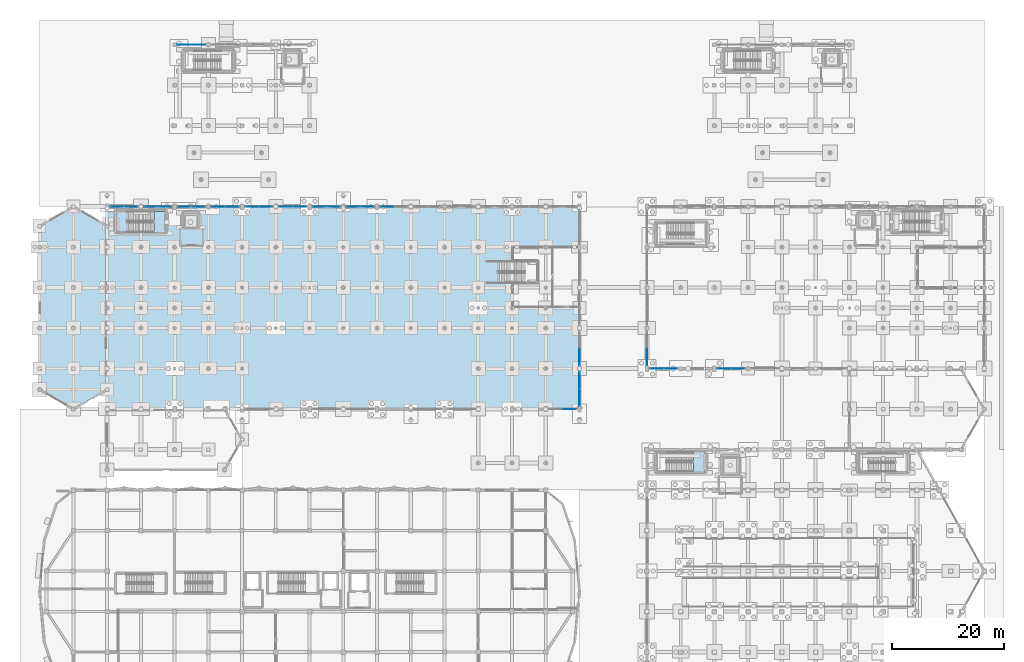
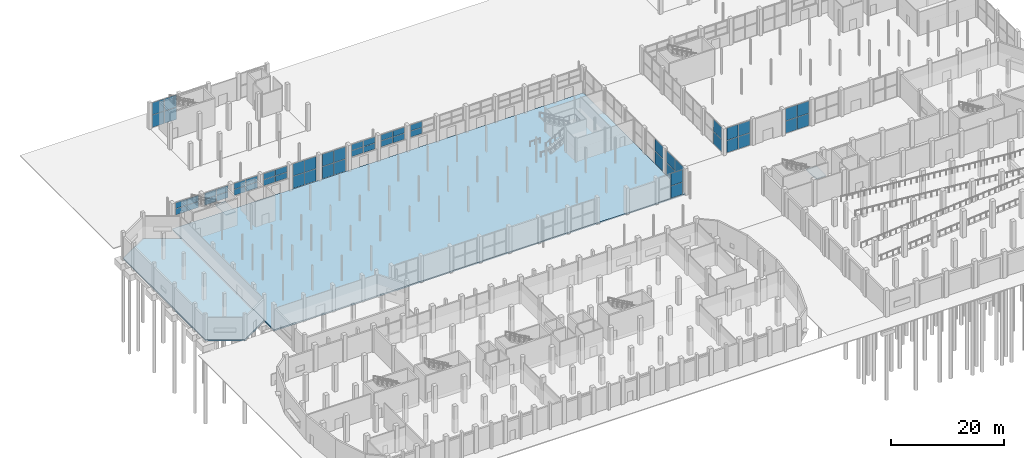
# One storey, part 71 of 103: 56 plates, 4 slabs, 18 elements without a shape of their own.
"""IFC4 building model written with IfcOpenShell, lengths in metres."""

from ifc_helpers import new_model, si_unit, direction, frame, origin, origin_2d, place, context, subcontext, project, spatial, polyline, rectangle, outline, extrude, material, layer, layer_set, type_object, element, aggregate, save


model = new_model("IFC4")

# Units and contexts
model_context = context("Model", 3, precision=1e-05, world=origin(), true_north=direction((0.0, 1.0)))
body_context = subcontext(model_context, "Body", "Model", "MODEL_VIEW")
ifc_project = project(units=[si_unit("LENGTHUNIT", "METRE"), si_unit("AREAUNIT", "SQUARE_METRE"), si_unit("VOLUMEUNIT", "CUBIC_METRE"), si_unit("PLANEANGLEUNIT", "RADIAN"), si_unit("MASSUNIT", "GRAM", prefix="KILO")], contexts=[model_context])

# Site, building, storey
site_placement = place(None, origin())
site = spatial("IfcSite", under=ifc_project, at=site_placement, CompositionType="ELEMENT")
building_placement = place(site_placement, origin())
building = spatial("IfcBuilding", under=site, at=building_placement, Name="Dunvalen Ferry Terminal", CompositionType="ELEMENT")
storey_placement = place(building_placement, origin())
storey = spatial("IfcBuildingStorey", under=building, at=storey_placement, Name="L00", CompositionType="ELEMENT", Elevation=0.0)

# Curtain wall, plates
ifc_material_1 = material(Name="Anodised marine aluminium and solar-control glazing", Category="aluminium")
ifc_layer_1 = layer(ifc_material_1, 0.219970703125, Name="Anodised marine aluminium and solar-control glazing")
ifc_layer_set_1 = layer_set([ifc_layer_1], Name="Anodised marine aluminium and solar-control glazing")
curtain_wall_type_1 = type_object("IfcCurtainWallType", Name="ENV-CW-SYS-01", PredefinedType="NOTDEFINED", material=ifc_layer_set_1)
curtain_wall_1_placement = place(storey_placement, origin())
curtain_wall_1 = element("IfcCurtainWall", 1, at=curtain_wall_1_placement, inside=storey, type_object=curtain_wall_type_1, Name="L00 Curtain Wall CW-V1N-L00-01", PredefinedType="NOTDEFINED")
ifc_material_2 = material(Name="Low-E solar-control laminated double glazing", Category="glass")
ifc_layer_2 = layer(ifc_material_2, 0.028076171875, Name="Low-E solar-control laminated double glazing")
ifc_layer_set_2 = layer_set([ifc_layer_2], Name="Low-E solar-control laminated double glazing")
plate_type_1 = type_object("IfcPlateType", Name="ENV-CW-PNL-1", PredefinedType="CURTAIN_PANEL", material=ifc_layer_set_2)
plate_1_placement = place(storey_placement, frame((13.796142578125, 86.39990234375, 2.76513671875), z_axis=(0.0, 0.0, 1.0), x_axis=(1.0, 0.0, 0.0)))
plate_1 = element("IfcPlate", 2, at=plate_1_placement, type_object=plate_type_1, Name="CW-01 panel 1.1", PredefinedType="CURTAIN_PANEL", context=body_context, shape_type="SweptSolid", body=[
    extrude(rectangle(XDim=2.342529296875, YDim=0.028076171875, at=origin_2d()), origin(), (0.0, 0.0, 1.0), 1.277587890625),
])
plate_2_placement = place(storey_placement, frame((13.796142578125, 86.39990234375, 4.107421875), z_axis=(0.0, 0.0, 1.0), x_axis=(1.0, 0.0, 0.0)))
plate_2 = element("IfcPlate", 3, at=plate_2_placement, type_object=plate_type_1, Name="CW-01 panel 1.2", PredefinedType="CURTAIN_PANEL", context=body_context, shape_type="SweptSolid", body=[
    extrude(rectangle(XDim=2.342529296875, YDim=0.028076171875, at=origin_2d()), origin(), (0.0, 0.0, 1.0), 1.277587890625),
])
plate_3_placement = place(storey_placement, frame((16.203857421875, 86.39990234375, 2.76513671875), z_axis=(0.0, 0.0, 1.0), x_axis=(1.0, 0.0, 0.0)))
plate_3 = element("IfcPlate", 4, at=plate_3_placement, type_object=plate_type_1, Name="CW-01 panel 2.1", PredefinedType="CURTAIN_PANEL", context=body_context, shape_type="SweptSolid", body=[
    extrude(rectangle(XDim=2.342529296875, YDim=0.028076171875, at=origin_2d()), origin(), (0.0, 0.0, 1.0), 1.277587890625),
])
plate_4_placement = place(storey_placement, frame((16.203857421875, 86.39990234375, 4.107421875), z_axis=(0.0, 0.0, 1.0), x_axis=(1.0, 0.0, 0.0)))
plate_4 = element("IfcPlate", 5, at=plate_4_placement, type_object=plate_type_1, Name="CW-01 panel 2.2", PredefinedType="CURTAIN_PANEL", context=body_context, shape_type="SweptSolid", body=[
    extrude(rectangle(XDim=2.342529296875, YDim=0.028076171875, at=origin_2d()), origin(), (0.0, 0.0, 1.0), 1.277587890625),
])
aggregate(curtain_wall_1, [plate_1, plate_2, plate_3, plate_4])

curtain_wall_2_placement = place(storey_placement, origin())
curtain_wall_2 = element("IfcCurtainWall", 6, at=curtain_wall_2_placement, inside=storey, type_object=curtain_wall_type_1, Name="L00 Curtain Wall CW-V1N-L00-02", PredefinedType="NOTDEFINED")
plate_5_placement = place(storey_placement, frame((19.796142578125, 86.39990234375, 2.76513671875), z_axis=(0.0, 0.0, 1.0), x_axis=(1.0, 0.0, 0.0)))
plate_5 = element("IfcPlate", 7, at=plate_5_placement, type_object=plate_type_1, Name="CW-01 panel 1.1", PredefinedType="CURTAIN_PANEL", context=body_context, shape_type="SweptSolid", body=[
    extrude(rectangle(XDim=2.342529296875, YDim=0.028076171875, at=origin_2d()), origin(), (0.0, 0.0, 1.0), 1.277587890625),
])
plate_6_placement = place(storey_placement, frame((19.796142578125, 86.39990234375, 4.107421875), z_axis=(0.0, 0.0, 1.0), x_axis=(1.0, 0.0, 0.0)))
plate_6 = element("IfcPlate", 8, at=plate_6_placement, type_object=plate_type_1, Name="CW-01 panel 1.2", PredefinedType="CURTAIN_PANEL", context=body_context, shape_type="SweptSolid", body=[
    extrude(rectangle(XDim=2.342529296875, YDim=0.028076171875, at=origin_2d()), origin(), (0.0, 0.0, 1.0), 1.277587890625),
])
plate_7_placement = place(storey_placement, frame((22.203857421875, 86.39990234375, 2.76513671875), z_axis=(0.0, 0.0, 1.0), x_axis=(1.0, 0.0, 0.0)))
plate_7 = element("IfcPlate", 9, at=plate_7_placement, type_object=plate_type_1, Name="CW-01 panel 2.1", PredefinedType="CURTAIN_PANEL", context=body_context, shape_type="SweptSolid", body=[
    extrude(rectangle(XDim=2.342529296875, YDim=0.028076171875, at=origin_2d()), origin(), (0.0, 0.0, 1.0), 1.277587890625),
])
plate_8_placement = place(storey_placement, frame((22.203857421875, 86.39990234375, 4.107421875), z_axis=(0.0, 0.0, 1.0), x_axis=(1.0, 0.0, 0.0)))
plate_8 = element("IfcPlate", 10, at=plate_8_placement, type_object=plate_type_1, Name="CW-01 panel 2.2", PredefinedType="CURTAIN_PANEL", context=body_context, shape_type="SweptSolid", body=[
    extrude(rectangle(XDim=2.342529296875, YDim=0.028076171875, at=origin_2d()), origin(), (0.0, 0.0, 1.0), 1.277587890625),
])
aggregate(curtain_wall_2, [plate_5, plate_6, plate_7, plate_8])

curtain_wall_3_placement = place(storey_placement, origin())
curtain_wall_3 = element("IfcCurtainWall", 11, at=curtain_wall_3_placement, inside=storey, type_object=curtain_wall_type_1, Name="L00 Curtain Wall CW-V1N-L00-03", PredefinedType="NOTDEFINED")
plate_9_placement = place(storey_placement, frame((25.796142578125, 86.39990234375, 2.76513671875), z_axis=(0.0, 0.0, 1.0), x_axis=(1.0, 0.0, 0.0)))
plate_9 = element("IfcPlate", 12, at=plate_9_placement, type_object=plate_type_1, Name="CW-01 panel 1.1", PredefinedType="CURTAIN_PANEL", context=body_context, shape_type="SweptSolid", body=[
    extrude(rectangle(XDim=2.342529296875, YDim=0.028076171875, at=origin_2d()), origin(), (0.0, 0.0, 1.0), 1.277587890625),
])
plate_10_placement = place(storey_placement, frame((25.796142578125, 86.39990234375, 4.107421875), z_axis=(0.0, 0.0, 1.0), x_axis=(1.0, 0.0, 0.0)))
plate_10 = element("IfcPlate", 13, at=plate_10_placement, type_object=plate_type_1, Name="CW-01 panel 1.2", PredefinedType="CURTAIN_PANEL", context=body_context, shape_type="SweptSolid", body=[
    extrude(rectangle(XDim=2.342529296875, YDim=0.028076171875, at=origin_2d()), origin(), (0.0, 0.0, 1.0), 1.277587890625),
])
plate_11_placement = place(storey_placement, frame((28.203857421875, 86.39990234375, 2.76513671875), z_axis=(0.0, 0.0, 1.0), x_axis=(1.0, 0.0, 0.0)))
plate_11 = element("IfcPlate", 14, at=plate_11_placement, type_object=plate_type_1, Name="CW-01 panel 2.1", PredefinedType="CURTAIN_PANEL", context=body_context, shape_type="SweptSolid", body=[
    extrude(rectangle(XDim=2.342529296875, YDim=0.028076171875, at=origin_2d()), origin(), (0.0, 0.0, 1.0), 1.277587890625),
])
plate_12_placement = place(storey_placement, frame((28.203857421875, 86.39990234375, 4.107421875), z_axis=(0.0, 0.0, 1.0), x_axis=(1.0, 0.0, 0.0)))
plate_12 = element("IfcPlate", 15, at=plate_12_placement, type_object=plate_type_1, Name="CW-01 panel 2.2", PredefinedType="CURTAIN_PANEL", context=body_context, shape_type="SweptSolid", body=[
    extrude(rectangle(XDim=2.342529296875, YDim=0.028076171875, at=origin_2d()), origin(), (0.0, 0.0, 1.0), 1.277587890625),
])
aggregate(curtain_wall_3, [plate_9, plate_10, plate_11, plate_12])

curtain_wall_4_placement = place(storey_placement, origin())
curtain_wall_4 = element("IfcCurtainWall", 16, at=curtain_wall_4_placement, inside=storey, type_object=curtain_wall_type_1, Name="L00 Curtain Wall CW-V1N-L00-04", PredefinedType="NOTDEFINED")
plate_13_placement = place(storey_placement, frame((31.796142578125, 86.39990234375, 2.76513671875), z_axis=(0.0, 0.0, 1.0), x_axis=(1.0, 0.0, 0.0)))
plate_13 = element("IfcPlate", 17, at=plate_13_placement, type_object=plate_type_1, Name="CW-01 panel 1.1", PredefinedType="CURTAIN_PANEL", context=body_context, shape_type="SweptSolid", body=[
    extrude(rectangle(XDim=2.342529296875, YDim=0.028076171875, at=origin_2d()), origin(), (0.0, 0.0, 1.0), 1.277587890625),
])
plate_14_placement = place(storey_placement, frame((31.796142578125, 86.39990234375, 4.107421875), z_axis=(0.0, 0.0, 1.0), x_axis=(1.0, 0.0, 0.0)))
plate_14 = element("IfcPlate", 18, at=plate_14_placement, type_object=plate_type_1, Name="CW-01 panel 1.2", PredefinedType="CURTAIN_PANEL", context=body_context, shape_type="SweptSolid", body=[
    extrude(rectangle(XDim=2.342529296875, YDim=0.028076171875, at=origin_2d()), origin(), (0.0, 0.0, 1.0), 1.277587890625),
])
plate_15_placement = place(storey_placement, frame((34.203857421875, 86.39990234375, 2.76513671875), z_axis=(0.0, 0.0, 1.0), x_axis=(1.0, 0.0, 0.0)))
plate_15 = element("IfcPlate", 19, at=plate_15_placement, type_object=plate_type_1, Name="CW-01 panel 2.1", PredefinedType="CURTAIN_PANEL", context=body_context, shape_type="SweptSolid", body=[
    extrude(rectangle(XDim=2.342529296875, YDim=0.028076171875, at=origin_2d()), origin(), (0.0, 0.0, 1.0), 1.277587890625),
])
plate_16_placement = place(storey_placement, frame((34.203857421875, 86.39990234375, 4.107421875), z_axis=(0.0, 0.0, 1.0), x_axis=(1.0, 0.0, 0.0)))
plate_16 = element("IfcPlate", 20, at=plate_16_placement, type_object=plate_type_1, Name="CW-01 panel 2.2", PredefinedType="CURTAIN_PANEL", context=body_context, shape_type="SweptSolid", body=[
    extrude(rectangle(XDim=2.342529296875, YDim=0.028076171875, at=origin_2d()), origin(), (0.0, 0.0, 1.0), 1.277587890625),
])
aggregate(curtain_wall_4, [plate_13, plate_14, plate_15, plate_16])

curtain_wall_5_placement = place(storey_placement, origin())
curtain_wall_5 = element("IfcCurtainWall", 21, at=curtain_wall_5_placement, inside=storey, type_object=curtain_wall_type_1, Name="L00 Curtain Wall CW-V1N-L00-05", PredefinedType="NOTDEFINED")
plate_17_placement = place(storey_placement, frame((37.796142578125, 86.39990234375, 0.06494140625), z_axis=(0.0, 0.0, 1.0), x_axis=(1.0, 0.0, 0.0)))
plate_17 = element("IfcPlate", 22, at=plate_17_placement, type_object=plate_type_1, Name="CW-01 panel 1.1", PredefinedType="CURTAIN_PANEL", context=body_context, shape_type="SweptSolid", body=[
    extrude(rectangle(XDim=2.342529296875, YDim=0.028076171875, at=origin_2d()), origin(), (0.0, 0.0, 1.0), 2.62744140625),
])
plate_18_placement = place(storey_placement, frame((37.796142578125, 86.39990234375, 2.757568359375), z_axis=(0.0, 0.0, 1.0), x_axis=(1.0, 0.0, 0.0)))
plate_18 = element("IfcPlate", 23, at=plate_18_placement, type_object=plate_type_1, Name="CW-01 panel 1.2", PredefinedType="CURTAIN_PANEL", context=body_context, shape_type="SweptSolid", body=[
    extrude(rectangle(XDim=2.342529296875, YDim=0.028076171875, at=origin_2d()), origin(), (0.0, 0.0, 1.0), 2.62744140625),
])
plate_19_placement = place(storey_placement, frame((40.203857421875, 86.39990234375, 0.06494140625), z_axis=(0.0, 0.0, 1.0), x_axis=(1.0, 0.0, 0.0)))
plate_19 = element("IfcPlate", 24, at=plate_19_placement, type_object=plate_type_1, Name="CW-01 panel 2.1", PredefinedType="CURTAIN_PANEL", context=body_context, shape_type="SweptSolid", body=[
    extrude(rectangle(XDim=2.342529296875, YDim=0.028076171875, at=origin_2d()), origin(), (0.0, 0.0, 1.0), 2.62744140625),
])
plate_20_placement = place(storey_placement, frame((40.203857421875, 86.39990234375, 2.757568359375), z_axis=(0.0, 0.0, 1.0), x_axis=(1.0, 0.0, 0.0)))
plate_20 = element("IfcPlate", 25, at=plate_20_placement, type_object=plate_type_1, Name="CW-01 panel 2.2", PredefinedType="CURTAIN_PANEL", context=body_context, shape_type="SweptSolid", body=[
    extrude(rectangle(XDim=2.342529296875, YDim=0.028076171875, at=origin_2d()), origin(), (0.0, 0.0, 1.0), 2.62744140625),
])
aggregate(curtain_wall_5, [plate_17, plate_18, plate_19, plate_20])

curtain_wall_6_placement = place(storey_placement, origin())
curtain_wall_6 = element("IfcCurtainWall", 26, at=curtain_wall_6_placement, inside=storey, type_object=curtain_wall_type_1, Name="L00 Curtain Wall CW-V1N-L00-06", PredefinedType="NOTDEFINED")
plate_21_placement = place(storey_placement, frame((43.796142578125, 86.39990234375, 0.06494140625), z_axis=(0.0, 0.0, 1.0), x_axis=(1.0, 0.0, 0.0)))
plate_21 = element("IfcPlate", 27, at=plate_21_placement, type_object=plate_type_1, Name="CW-01 panel 1.1", PredefinedType="CURTAIN_PANEL", context=body_context, shape_type="SweptSolid", body=[
    extrude(rectangle(XDim=2.342529296875, YDim=0.028076171875, at=origin_2d()), origin(), (0.0, 0.0, 1.0), 2.62744140625),
])
plate_22_placement = place(storey_placement, frame((43.796142578125, 86.39990234375, 2.757568359375), z_axis=(0.0, 0.0, 1.0), x_axis=(1.0, 0.0, 0.0)))
plate_22 = element("IfcPlate", 28, at=plate_22_placement, type_object=plate_type_1, Name="CW-01 panel 1.2", PredefinedType="CURTAIN_PANEL", context=body_context, shape_type="SweptSolid", body=[
    extrude(rectangle(XDim=2.342529296875, YDim=0.028076171875, at=origin_2d()), origin(), (0.0, 0.0, 1.0), 2.62744140625),
])
plate_23_placement = place(storey_placement, frame((46.203857421875, 86.39990234375, 0.06494140625), z_axis=(0.0, 0.0, 1.0), x_axis=(1.0, 0.0, 0.0)))
plate_23 = element("IfcPlate", 29, at=plate_23_placement, type_object=plate_type_1, Name="CW-01 panel 2.1", PredefinedType="CURTAIN_PANEL", context=body_context, shape_type="SweptSolid", body=[
    extrude(rectangle(XDim=2.342529296875, YDim=0.028076171875, at=origin_2d()), origin(), (0.0, 0.0, 1.0), 2.62744140625),
])
plate_24_placement = place(storey_placement, frame((46.203857421875, 86.39990234375, 2.757568359375), z_axis=(0.0, 0.0, 1.0), x_axis=(1.0, 0.0, 0.0)))
plate_24 = element("IfcPlate", 30, at=plate_24_placement, type_object=plate_type_1, Name="CW-01 panel 2.2", PredefinedType="CURTAIN_PANEL", context=body_context, shape_type="SweptSolid", body=[
    extrude(rectangle(XDim=2.342529296875, YDim=0.028076171875, at=origin_2d()), origin(), (0.0, 0.0, 1.0), 2.62744140625),
])
aggregate(curtain_wall_6, [plate_21, plate_22, plate_23, plate_24])

curtain_wall_7_placement = place(storey_placement, origin())
curtain_wall_7 = element("IfcCurtainWall", 31, at=curtain_wall_7_placement, inside=storey, type_object=curtain_wall_type_1, Name="L00 Curtain Wall CW-V1N-L00-07", PredefinedType="NOTDEFINED")
plate_25_placement = place(storey_placement, frame((49.796142578125, 86.39990234375, 2.76513671875), z_axis=(0.0, 0.0, 1.0), x_axis=(1.0, 0.0, 0.0)))
plate_25 = element("IfcPlate", 32, at=plate_25_placement, type_object=plate_type_1, Name="CW-01 panel 1.1", PredefinedType="CURTAIN_PANEL", context=body_context, shape_type="SweptSolid", body=[
    extrude(rectangle(XDim=2.342529296875, YDim=0.028076171875, at=origin_2d()), origin(), (0.0, 0.0, 1.0), 1.277587890625),
])
plate_26_placement = place(storey_placement, frame((49.796142578125, 86.39990234375, 4.107421875), z_axis=(0.0, 0.0, 1.0), x_axis=(1.0, 0.0, 0.0)))
plate_26 = element("IfcPlate", 33, at=plate_26_placement, type_object=plate_type_1, Name="CW-01 panel 1.2", PredefinedType="CURTAIN_PANEL", context=body_context, shape_type="SweptSolid", body=[
    extrude(rectangle(XDim=2.342529296875, YDim=0.028076171875, at=origin_2d()), origin(), (0.0, 0.0, 1.0), 1.277587890625),
])
plate_27_placement = place(storey_placement, frame((52.203857421875, 86.39990234375, 2.76513671875), z_axis=(0.0, 0.0, 1.0), x_axis=(1.0, 0.0, 0.0)))
plate_27 = element("IfcPlate", 34, at=plate_27_placement, type_object=plate_type_1, Name="CW-01 panel 2.1", PredefinedType="CURTAIN_PANEL", context=body_context, shape_type="SweptSolid", body=[
    extrude(rectangle(XDim=2.342529296875, YDim=0.028076171875, at=origin_2d()), origin(), (0.0, 0.0, 1.0), 1.277587890625),
])
plate_28_placement = place(storey_placement, frame((52.203857421875, 86.39990234375, 4.107421875), z_axis=(0.0, 0.0, 1.0), x_axis=(1.0, 0.0, 0.0)))
plate_28 = element("IfcPlate", 35, at=plate_28_placement, type_object=plate_type_1, Name="CW-01 panel 2.2", PredefinedType="CURTAIN_PANEL", context=body_context, shape_type="SweptSolid", body=[
    extrude(rectangle(XDim=2.342529296875, YDim=0.028076171875, at=origin_2d()), origin(), (0.0, 0.0, 1.0), 1.277587890625),
])
aggregate(curtain_wall_7, [plate_25, plate_26, plate_27, plate_28])

curtain_wall_8_placement = place(storey_placement, origin())
curtain_wall_8 = element("IfcCurtainWall", 36, at=curtain_wall_8_placement, inside=storey, type_object=curtain_wall_type_1, Name="L00 Curtain Wall CW-V1N-L00-08", PredefinedType="NOTDEFINED")
plate_29_placement = place(storey_placement, frame((55.796142578125, 86.39990234375, 2.76513671875), z_axis=(0.0, 0.0, 1.0), x_axis=(1.0, 0.0, 0.0)))
plate_29 = element("IfcPlate", 37, at=plate_29_placement, type_object=plate_type_1, Name="CW-01 panel 1.1", PredefinedType="CURTAIN_PANEL", context=body_context, shape_type="SweptSolid", body=[
    extrude(rectangle(XDim=2.342529296875, YDim=0.028076171875, at=origin_2d()), origin(), (0.0, 0.0, 1.0), 1.277587890625),
])
plate_30_placement = place(storey_placement, frame((55.796142578125, 86.39990234375, 4.107421875), z_axis=(0.0, 0.0, 1.0), x_axis=(1.0, 0.0, 0.0)))
plate_30 = element("IfcPlate", 38, at=plate_30_placement, type_object=plate_type_1, Name="CW-01 panel 1.2", PredefinedType="CURTAIN_PANEL", context=body_context, shape_type="SweptSolid", body=[
    extrude(rectangle(XDim=2.342529296875, YDim=0.028076171875, at=origin_2d()), origin(), (0.0, 0.0, 1.0), 1.277587890625),
])
plate_31_placement = place(storey_placement, frame((58.203857421875, 86.39990234375, 2.76513671875), z_axis=(0.0, 0.0, 1.0), x_axis=(1.0, 0.0, 0.0)))
plate_31 = element("IfcPlate", 39, at=plate_31_placement, type_object=plate_type_1, Name="CW-01 panel 2.1", PredefinedType="CURTAIN_PANEL", context=body_context, shape_type="SweptSolid", body=[
    extrude(rectangle(XDim=2.342529296875, YDim=0.028076171875, at=origin_2d()), origin(), (0.0, 0.0, 1.0), 1.277587890625),
])
plate_32_placement = place(storey_placement, frame((58.203857421875, 86.39990234375, 4.107421875), z_axis=(0.0, 0.0, 1.0), x_axis=(1.0, 0.0, 0.0)))
plate_32 = element("IfcPlate", 40, at=plate_32_placement, type_object=plate_type_1, Name="CW-01 panel 2.2", PredefinedType="CURTAIN_PANEL", context=body_context, shape_type="SweptSolid", body=[
    extrude(rectangle(XDim=2.342529296875, YDim=0.028076171875, at=origin_2d()), origin(), (0.0, 0.0, 1.0), 1.277587890625),
])
aggregate(curtain_wall_8, [plate_29, plate_30, plate_31, plate_32])

curtain_wall_9_placement = place(storey_placement, origin())
curtain_wall_9 = element("IfcCurtainWall", 41, at=curtain_wall_9_placement, inside=storey, type_object=curtain_wall_type_1, Name="L00 Curtain Wall CW-V1N-L00-09", PredefinedType="NOTDEFINED")
plate_33_placement = place(storey_placement, frame((61.796142578125, 86.39990234375, 2.76513671875), z_axis=(0.0, 0.0, 1.0), x_axis=(1.0, 0.0, 0.0)))
plate_33 = element("IfcPlate", 42, at=plate_33_placement, type_object=plate_type_1, Name="CW-01 panel 1.1", PredefinedType="CURTAIN_PANEL", context=body_context, shape_type="SweptSolid", body=[
    extrude(rectangle(XDim=2.342529296875, YDim=0.028076171875, at=origin_2d()), origin(), (0.0, 0.0, 1.0), 1.277587890625),
])
plate_34_placement = place(storey_placement, frame((61.796142578125, 86.39990234375, 4.107421875), z_axis=(0.0, 0.0, 1.0), x_axis=(1.0, 0.0, 0.0)))
plate_34 = element("IfcPlate", 43, at=plate_34_placement, type_object=plate_type_1, Name="CW-01 panel 1.2", PredefinedType="CURTAIN_PANEL", context=body_context, shape_type="SweptSolid", body=[
    extrude(rectangle(XDim=2.342529296875, YDim=0.028076171875, at=origin_2d()), origin(), (0.0, 0.0, 1.0), 1.277587890625),
])
aggregate(curtain_wall_9, [plate_33, plate_34])

ifc_layer_3 = layer(ifc_material_1, 0.219970703125, Name="Anodised marine aluminium and solar-control glazing")
ifc_layer_set_3 = layer_set([ifc_layer_3], Name="Anodised marine aluminium and solar-control glazing")
curtain_wall_type_2 = type_object("IfcCurtainWallType", Name="ENV-CW-SYS-03", PredefinedType="NOTDEFINED", material=ifc_layer_set_3)
curtain_wall_10_placement = place(storey_placement, origin())
curtain_wall_10 = element("IfcCurtainWall", 44, at=curtain_wall_10_placement, inside=storey, type_object=curtain_wall_type_2, Name="L00 Curtain Wall CW-V1E-L00-01", PredefinedType="NOTDEFINED")
plate_35_placement = place(storey_placement, frame((96.0, 52.496337890625, 0.06494140625), z_axis=(0.0, 0.0, 1.0), x_axis=(0.0, 1.0, 0.0)))
plate_35 = element("IfcPlate", 45, at=plate_35_placement, type_object=plate_type_1, Name="CW-03 panel 1.1", PredefinedType="CURTAIN_PANEL", context=body_context, shape_type="SweptSolid", body=[
    extrude(rectangle(XDim=2.9423828125, YDim=0.028076171875, at=origin_2d()), origin(), (0.0, 0.0, 1.0), 2.62744140625),
])
plate_36_placement = place(storey_placement, frame((96.0, 52.496337890625, 2.757568359375), z_axis=(0.0, 0.0, 1.0), x_axis=(0.0, 1.0, 0.0)))
plate_36 = element("IfcPlate", 46, at=plate_36_placement, type_object=plate_type_1, Name="CW-03 panel 1.2", PredefinedType="CURTAIN_PANEL", context=body_context, shape_type="SweptSolid", body=[
    extrude(rectangle(XDim=2.9423828125, YDim=0.028076171875, at=origin_2d()), origin(), (0.0, 0.0, 1.0), 2.62744140625),
])
plate_37_placement = place(storey_placement, frame((96.0, 55.503662109375, 0.06494140625), z_axis=(0.0, 0.0, 1.0), x_axis=(0.0, 1.0, 0.0)))
plate_37 = element("IfcPlate", 47, at=plate_37_placement, type_object=plate_type_1, Name="CW-03 panel 2.1", PredefinedType="CURTAIN_PANEL", context=body_context, shape_type="SweptSolid", body=[
    extrude(rectangle(XDim=2.9423828125, YDim=0.028076171875, at=origin_2d()), origin(), (0.0, 0.0, 1.0), 2.62744140625),
])
plate_38_placement = place(storey_placement, frame((96.0, 55.503662109375, 2.757568359375), z_axis=(0.0, 0.0, 1.0), x_axis=(0.0, 1.0, 0.0)))
plate_38 = element("IfcPlate", 48, at=plate_38_placement, type_object=plate_type_1, Name="CW-03 panel 2.2", PredefinedType="CURTAIN_PANEL", context=body_context, shape_type="SweptSolid", body=[
    extrude(rectangle(XDim=2.9423828125, YDim=0.028076171875, at=origin_2d()), origin(), (0.0, 0.0, 1.0), 2.62744140625),
])
aggregate(curtain_wall_10, [plate_35, plate_36, plate_37, plate_38])

curtain_wall_11_placement = place(storey_placement, origin())
curtain_wall_11 = element("IfcCurtainWall", 49, at=curtain_wall_11_placement, inside=storey, type_object=curtain_wall_type_2, Name="L00 Curtain Wall CW-V1E-L00-02", PredefinedType="NOTDEFINED")
plate_39_placement = place(storey_placement, frame((96.0, 59.6962890625, 0.06494140625), z_axis=(0.0, 0.0, 1.0), x_axis=(0.0, 1.0, 0.0)))
plate_39 = element("IfcPlate", 50, at=plate_39_placement, type_object=plate_type_1, Name="CW-03 panel 1.1", PredefinedType="CURTAIN_PANEL", context=body_context, shape_type="SweptSolid", body=[
    extrude(rectangle(XDim=2.9423828125, YDim=0.028076171875, at=origin_2d()), origin(), (0.0, 0.0, 1.0), 2.62744140625),
])
plate_40_placement = place(storey_placement, frame((96.0, 59.6962890625, 2.757568359375), z_axis=(0.0, 0.0, 1.0), x_axis=(0.0, 1.0, 0.0)))
plate_40 = element("IfcPlate", 51, at=plate_40_placement, type_object=plate_type_1, Name="CW-03 panel 1.2", PredefinedType="CURTAIN_PANEL", context=body_context, shape_type="SweptSolid", body=[
    extrude(rectangle(XDim=2.9423828125, YDim=0.028076171875, at=origin_2d()), origin(), (0.0, 0.0, 1.0), 2.62744140625),
])
aggregate(curtain_wall_11, [plate_39, plate_40])

curtain_wall_12_placement = place(storey_placement, origin())
curtain_wall_12 = element("IfcCurtainWall", 52, at=curtain_wall_12_placement, inside=storey, type_object=curtain_wall_type_2, Name="L00 Curtain Wall CW-V2W-L00-1", PredefinedType="NOTDEFINED")
plate_41_placement = place(storey_placement, frame((108.0, 59.6962890625, 0.06494140625), z_axis=(0.0, 0.0, 1.0), x_axis=(0.0, 1.0, 0.0)))
plate_41 = element("IfcPlate", 53, at=plate_41_placement, type_object=plate_type_1, Name="CW-03 panel 1.1", PredefinedType="CURTAIN_PANEL", context=body_context, shape_type="SweptSolid", body=[
    extrude(rectangle(XDim=2.9423828125, YDim=0.028076171875, at=origin_2d()), origin(), (0.0, 0.0, 1.0), 2.62744140625),
])
plate_42_placement = place(storey_placement, frame((108.0, 59.6962890625, 2.757568359375), z_axis=(0.0, 0.0, 1.0), x_axis=(0.0, 1.0, 0.0)))
plate_42 = element("IfcPlate", 54, at=plate_42_placement, type_object=plate_type_1, Name="CW-03 panel 1.2", PredefinedType="CURTAIN_PANEL", context=body_context, shape_type="SweptSolid", body=[
    extrude(rectangle(XDim=2.9423828125, YDim=0.028076171875, at=origin_2d()), origin(), (0.0, 0.0, 1.0), 2.62744140625),
])
aggregate(curtain_wall_12, [plate_41, plate_42])

ifc_layer_4 = layer(ifc_material_1, 0.159912109375, Name="Anodised marine aluminium and solar-control glazing")
ifc_layer_set_4 = layer_set([ifc_layer_4], Name="Anodised marine aluminium and solar-control glazing")
curtain_wall_type_3 = type_object("IfcCurtainWallType", Name="ENV-CW-SYS-09", PredefinedType="NOTDEFINED", material=ifc_layer_set_4)
curtain_wall_13_placement = place(storey_placement, origin())
curtain_wall_13 = element("IfcCurtainWall", 55, at=curtain_wall_13_placement, inside=storey, type_object=curtain_wall_type_3, Name="L00 Curtain Wall CW-BRT1-N-L00-1", PredefinedType="NOTDEFINED")
plate_43_placement = place(storey_placement, frame((25.739990234375, 115.199951171875, 0.06005859375), z_axis=(0.0, 0.0, 1.0), x_axis=(1.0, 0.0, 0.0)))
plate_43 = element("IfcPlate", 56, at=plate_43_placement, type_object=plate_type_1, Name="CW-09 panel 1.1", PredefinedType="CURTAIN_PANEL", context=body_context, shape_type="SweptSolid", body=[
    extrude(rectangle(XDim=2.4599609375, YDim=0.028076171875, at=origin_2d()), origin(), (0.0, 0.0, 1.0), 2.635009765625),
])
plate_44_placement = place(storey_placement, frame((25.739990234375, 115.199951171875, 2.7548828125), z_axis=(0.0, 0.0, 1.0), x_axis=(1.0, 0.0, 0.0)))
plate_44 = element("IfcPlate", 57, at=plate_44_placement, type_object=plate_type_1, Name="CW-09 panel 1.2", PredefinedType="CURTAIN_PANEL", context=body_context, shape_type="SweptSolid", body=[
    extrude(rectangle(XDim=2.4599609375, YDim=0.028076171875, at=origin_2d()), origin(), (0.0, 0.0, 1.0), 2.635009765625),
])
plate_45_placement = place(storey_placement, frame((28.260009765625, 115.199951171875, 0.06005859375), z_axis=(0.0, 0.0, 1.0), x_axis=(1.0, 0.0, 0.0)))
plate_45 = element("IfcPlate", 58, at=plate_45_placement, type_object=plate_type_1, Name="CW-09 panel 2.1", PredefinedType="CURTAIN_PANEL", context=body_context, shape_type="SweptSolid", body=[
    extrude(rectangle(XDim=2.4599609375, YDim=0.028076171875, at=origin_2d()), origin(), (0.0, 0.0, 1.0), 2.635009765625),
])
plate_46_placement = place(storey_placement, frame((28.260009765625, 115.199951171875, 2.7548828125), z_axis=(0.0, 0.0, 1.0), x_axis=(1.0, 0.0, 0.0)))
plate_46 = element("IfcPlate", 59, at=plate_46_placement, type_object=plate_type_1, Name="CW-09 panel 2.2", PredefinedType="CURTAIN_PANEL", context=body_context, shape_type="SweptSolid", body=[
    extrude(rectangle(XDim=2.4599609375, YDim=0.028076171875, at=origin_2d()), origin(), (0.0, 0.0, 1.0), 2.635009765625),
])
aggregate(curtain_wall_13, [plate_43, plate_44, plate_45, plate_46])

curtain_wall_14_placement = place(storey_placement, origin())
curtain_wall_14 = element("IfcCurtainWall", 60, at=curtain_wall_14_placement, inside=storey, type_object=curtain_wall_type_1, Name="L00 Curtain Wall CW-V1S-L00-10", PredefinedType="NOTDEFINED")
ifc_layer_5 = layer(ifc_material_2, 0.035888671875, Name="Low-E solar-control laminated double glazing")
ifc_layer_set_5 = layer_set([ifc_layer_5], Name="Low-E solar-control laminated double glazing")
plate_type_2 = type_object("IfcPlateType", Name="ENV-CW-PNL-3", PredefinedType="CURTAIN_PANEL", material=ifc_layer_set_5)
plate_47_placement = place(storey_placement, frame((94.203857421875, 50.39990234375, 0.06494140625), z_axis=(0.0, 0.0, 1.0), x_axis=(1.0, 0.0, 0.0)))
plate_47 = element("IfcPlate", 61, at=plate_47_placement, type_object=plate_type_2, Name="CW-01 panel 2.1", PredefinedType="CURTAIN_PANEL", context=body_context, shape_type="SweptSolid", body=[
    extrude(rectangle(XDim=2.342529296875, YDim=0.035888671875, at=origin_2d()), origin(), (0.0, 0.0, 1.0), 2.62744140625),
])
plate_48_placement = place(storey_placement, frame((94.203857421875, 50.39990234375, 2.757568359375), z_axis=(0.0, 0.0, 1.0), x_axis=(1.0, 0.0, 0.0)))
plate_48 = element("IfcPlate", 62, at=plate_48_placement, type_object=plate_type_2, Name="CW-01 panel 2.2", PredefinedType="CURTAIN_PANEL", context=body_context, shape_type="SweptSolid", body=[
    extrude(rectangle(XDim=2.342529296875, YDim=0.035888671875, at=origin_2d()), origin(), (0.0, 0.0, 1.0), 2.62744140625),
])
aggregate(curtain_wall_14, [plate_47, plate_48])

curtain_wall_15_placement = place(storey_placement, origin())
curtain_wall_15 = element("IfcCurtainWall", 63, at=curtain_wall_15_placement, inside=storey, type_object=curtain_wall_type_1, Name="L00 Curtain Wall CW-V2S-L00-01", PredefinedType="NOTDEFINED")
plate_49_placement = place(storey_placement, frame((109.796142578125, 57.60009765625, 0.06494140625), z_axis=(0.0, 0.0, 1.0), x_axis=(1.0, 0.0, 0.0)))
plate_49 = element("IfcPlate", 64, at=plate_49_placement, type_object=plate_type_2, Name="CW-01 panel 1.1", PredefinedType="CURTAIN_PANEL", context=body_context, shape_type="SweptSolid", body=[
    extrude(rectangle(XDim=2.342529296875, YDim=0.035888671875, at=origin_2d()), origin(), (0.0, 0.0, 1.0), 2.62744140625),
])
plate_50_placement = place(storey_placement, frame((109.796142578125, 57.60009765625, 2.757568359375), z_axis=(0.0, 0.0, 1.0), x_axis=(1.0, 0.0, 0.0)))
plate_50 = element("IfcPlate", 65, at=plate_50_placement, type_object=plate_type_2, Name="CW-01 panel 1.2", PredefinedType="CURTAIN_PANEL", context=body_context, shape_type="SweptSolid", body=[
    extrude(rectangle(XDim=2.342529296875, YDim=0.035888671875, at=origin_2d()), origin(), (0.0, 0.0, 1.0), 2.62744140625),
])
plate_51_placement = place(storey_placement, frame((112.203857421875, 57.60009765625, 0.06494140625), z_axis=(0.0, 0.0, 1.0), x_axis=(1.0, 0.0, 0.0)))
plate_51 = element("IfcPlate", 66, at=plate_51_placement, type_object=plate_type_2, Name="CW-01 panel 2.1", PredefinedType="CURTAIN_PANEL", context=body_context, shape_type="SweptSolid", body=[
    extrude(rectangle(XDim=2.342529296875, YDim=0.035888671875, at=origin_2d()), origin(), (0.0, 0.0, 1.0), 2.62744140625),
])
plate_52_placement = place(storey_placement, frame((112.203857421875, 57.60009765625, 2.757568359375), z_axis=(0.0, 0.0, 1.0), x_axis=(1.0, 0.0, 0.0)))
plate_52 = element("IfcPlate", 67, at=plate_52_placement, type_object=plate_type_2, Name="CW-01 panel 2.2", PredefinedType="CURTAIN_PANEL", context=body_context, shape_type="SweptSolid", body=[
    extrude(rectangle(XDim=2.342529296875, YDim=0.035888671875, at=origin_2d()), origin(), (0.0, 0.0, 1.0), 2.62744140625),
])
aggregate(curtain_wall_15, [plate_49, plate_50, plate_51, plate_52])

curtain_wall_16_placement = place(storey_placement, origin())
curtain_wall_16 = element("IfcCurtainWall", 68, at=curtain_wall_16_placement, inside=storey, type_object=curtain_wall_type_1, Name="L00 Curtain Wall CW-V2S-L00-03", PredefinedType="NOTDEFINED")
plate_53_placement = place(storey_placement, frame((121.796142578125, 57.60009765625, 0.06494140625), z_axis=(0.0, 0.0, 1.0), x_axis=(1.0, 0.0, 0.0)))
plate_53 = element("IfcPlate", 69, at=plate_53_placement, type_object=plate_type_2, Name="CW-01 panel 1.1", PredefinedType="CURTAIN_PANEL", context=body_context, shape_type="SweptSolid", body=[
    extrude(rectangle(XDim=2.342529296875, YDim=0.035888671875, at=origin_2d()), origin(), (0.0, 0.0, 1.0), 2.62744140625),
])
plate_54_placement = place(storey_placement, frame((121.796142578125, 57.60009765625, 2.757568359375), z_axis=(0.0, 0.0, 1.0), x_axis=(1.0, 0.0, 0.0)))
plate_54 = element("IfcPlate", 70, at=plate_54_placement, type_object=plate_type_2, Name="CW-01 panel 1.2", PredefinedType="CURTAIN_PANEL", context=body_context, shape_type="SweptSolid", body=[
    extrude(rectangle(XDim=2.342529296875, YDim=0.035888671875, at=origin_2d()), origin(), (0.0, 0.0, 1.0), 2.62744140625),
])
plate_55_placement = place(storey_placement, frame((124.203857421875, 57.60009765625, 0.06494140625), z_axis=(0.0, 0.0, 1.0), x_axis=(1.0, 0.0, 0.0)))
plate_55 = element("IfcPlate", 71, at=plate_55_placement, type_object=plate_type_2, Name="CW-01 panel 2.1", PredefinedType="CURTAIN_PANEL", context=body_context, shape_type="SweptSolid", body=[
    extrude(rectangle(XDim=2.342529296875, YDim=0.035888671875, at=origin_2d()), origin(), (0.0, 0.0, 1.0), 2.62744140625),
])
plate_56_placement = place(storey_placement, frame((124.203857421875, 57.60009765625, 2.757568359375), z_axis=(0.0, 0.0, 1.0), x_axis=(1.0, 0.0, 0.0)))
plate_56 = element("IfcPlate", 72, at=plate_56_placement, type_object=plate_type_2, Name="CW-01 panel 2.2", PredefinedType="CURTAIN_PANEL", context=body_context, shape_type="SweptSolid", body=[
    extrude(rectangle(XDim=2.342529296875, YDim=0.035888671875, at=origin_2d()), origin(), (0.0, 0.0, 1.0), 2.62744140625),
])
aggregate(curtain_wall_16, [plate_53, plate_54, plate_55, plate_56])

# Stair, slab
ifc_material_3 = material(Name="Concrete C35/45", Category="concrete")
stair_type_1 = type_object("IfcStairType", Name="INT-ST-DLG-06", PredefinedType="HALF_TURN_STAIR", material=ifc_material_3)
stair_1_placement = place(storey_placement, origin())
stair_1 = element("IfcStair", 73, at=stair_1_placement, inside=storey, type_object=stair_type_1, Name="L00 Protected Escape Stair 4", PredefinedType="HALF_TURN_STAIR")
ifc_layer_6 = layer(ifc_material_3, 0.199951171875, Name="Concrete C35/45")
ifc_layer_set_6 = layer_set([ifc_layer_6], Name="Concrete C35/45")
slab_type_1 = type_object("IfcSlabType", Name="INT-SLB-LND200", PredefinedType="LANDING", material=ifc_layer_set_6)
slab_1_placement = place(storey_placement, frame((0.0, 0.0, 2.679931640625)))
slab_1 = element("IfcSlab", 74, at=slab_1_placement, type_object=slab_type_1, Name="ST4 landing 1", PredefinedType="LANDING", context=body_context, shape_type="SweptSolid", body=[
    extrude(outline(polyline([(116.25, 39.25), (118.35009765625, 39.25), (118.35009765625, 42.75), (116.25, 42.75), (116.25, 39.25)])), origin(), (0.0, 0.0, 1.0), 0.199951171875),
])
aggregate(stair_1, [slab_1])

stair_type_2 = type_object("IfcStairType", Name="INT-ST-DLG-12", PredefinedType="HALF_TURN_STAIR", material=ifc_material_3)
stair_2_placement = place(storey_placement, origin())
stair_2 = element("IfcStair", 75, at=stair_2_placement, inside=storey, type_object=stair_type_2, Name="L00 Departure Hall Quay Escape Stair 7", PredefinedType="HALF_TURN_STAIR")
slab_2_placement = place(storey_placement, frame((0.0, 0.0, 2.679931640625)))
slab_2 = element("IfcSlab", 76, at=slab_2_placement, type_object=slab_type_1, Name="ST7 landing 1", PredefinedType="LANDING", context=body_context, shape_type="SweptSolid", body=[
    extrude(outline(polyline([(20.300048828125, 81.85009765625), (22.35009765625, 81.85009765625), (22.35009765625, 85.550048828125), (20.300048828125, 85.550048828125), (20.300048828125, 81.85009765625)])), origin(), (0.0, 0.0, 1.0), 0.199951171875),
])
aggregate(stair_2, [slab_2])

# Slabs
ifc_material_4 = material(Name="Concrete C40/50", Category="concrete")
ifc_layer_7 = layer(ifc_material_4, 0.280029296875, Name="Concrete C40/50")
ifc_layer_set_7 = layer_set([ifc_layer_7], Name="Concrete C40/50")
slab_type_2 = type_object("IfcSlabType", Name="STR-SLB-FLR280", PredefinedType="FLOOR", material=ifc_layer_set_7)
slab_3_placement = place(storey_placement, frame((0.0, 0.0, -0.280029296875)))
element("IfcSlab", 77, at=slab_3_placement, inside=storey, type_object=slab_type_2, Name="L00 Departure Hall Concourse Floor Slab", PredefinedType="FLOOR", context=body_context, shape_type="SweptSolid", body=[
    extrude(outline(polyline([(12.0, 50.39990234375), (96.0, 50.39990234375), (96.0, 86.39990234375), (12.0, 86.39990234375), (12.0, 50.39990234375)])), origin(), (0.0, 0.0, 1.0), 0.280029296875),
])
slab_4_placement = place(storey_placement, frame((0.0, 0.0, -0.280029296875)))
element("IfcSlab", 78, at=slab_4_placement, inside=storey, type_object=slab_type_2, Name="L00 West Baggage Annex Floor Slab", PredefinedType="FLOOR", context=body_context, shape_type="SweptSolid", body=[
    extrude(outline(polyline([(6.0, 50.39990234375), (12.0, 53.864013671875), (12.0, 82.935791015625), (6.0, 86.39990234375), (0.0, 82.935791015625), (0.0, 53.864013671875), (6.0, 50.39990234375)])), origin(), (0.0, 0.0, 1.0), 0.280029296875),
])

save(model, "model.ifc")
